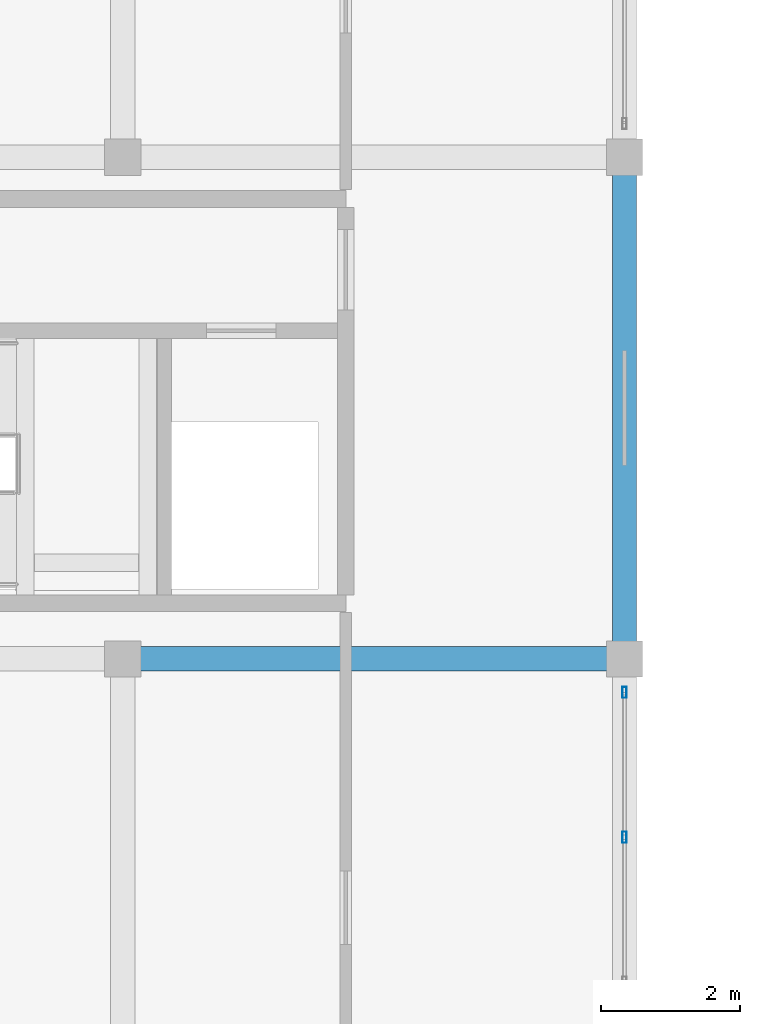
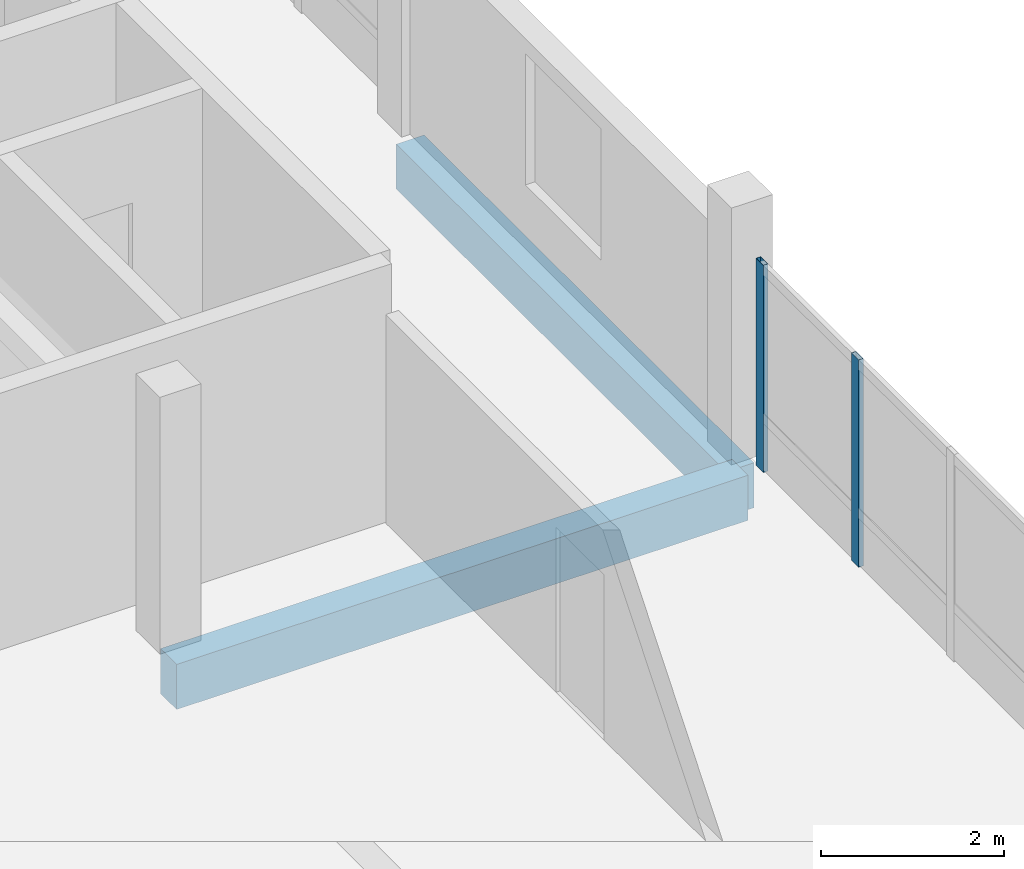
# One storey, part 12 of 26: 2 beams, 2 members, 1 element without a shape of its own.
"""IFC4 building model written with IfcOpenShell, lengths in metres."""

import ifcopenshell
import ifcopenshell.guid

model = None  # the IFC model being written
_history = None  # IfcOwnerHistory: only IFC2X3 demands one
_inside = {}  # id of a spatial element -> (the spatial element, [elements in it])
_under = {}  # id of a project, library or spatial element -> (it, [spatial elements below it])
_declared = {}  # id of a project -> (the project, [libraries it declares])
_typed = {}  # id of a type object -> (the type object, [elements of that type])
_made_of = {}  # id of a material, layer set ... -> (it, [elements and type objects made of it])


def new_model(schema):
    """Start an empty IFC model of exactly this schema.

    Asked for "IFC4X3", IfcOpenShell would pick the latest addendum, in which some entities
    have other attributes; the version numbers below select the first issue.
    IFC2X3 requires an IfcOwnerHistory on every rooted entity: one is made here for all.
    """
    global model, _history
    if schema == "IFC4X3":
        model = ifcopenshell.file(schema_version=(4, 3, 0, 0))
    else:
        model = ifcopenshell.file(schema=schema)
    _inside.clear()
    _under.clear()
    _declared.clear()
    _typed.clear()
    _made_of.clear()
    _history = None
    if model.schema == "IFC2X3":
        org = make("IfcOrganization", Name="unknown")
        user = make(
            "IfcPersonAndOrganization",
            ThePerson=make("IfcPerson", FamilyName="unknown"),
            TheOrganization=org,
        )
        app = make(
            "IfcApplication",
            ApplicationDeveloper=org,
            Version="unknown",
            ApplicationFullName="unknown",
            ApplicationIdentifier="unknown",
        )
        _history = make(
            "IfcOwnerHistory",
            OwningUser=user,
            OwningApplication=app,
            ChangeAction="ADDED",
            CreationDate=0,
        )
    return model


def make(cls, **values):
    """One entity of the class cls with the attributes given. An attribute that is None is left unset."""
    return model.create_entity(
        cls, **{name: value for name, value in values.items() if value is not None}
    )


def rooted(cls, **values):
    """An entity with a GlobalId (a new one), such as an element, a storey or a relation."""
    return make(cls, GlobalId=ifcopenshell.guid.new(), OwnerHistory=_history, **values)


def si_unit(unit_type, name, prefix=None):
    """IfcSIUnit, for example si_unit("LENGTHUNIT", "METRE", prefix="MILLI")."""
    return make("IfcSIUnit", UnitType=unit_type, Prefix=prefix, Name=name)


def assignment(units):
    """IfcUnitAssignment: the units of a project."""
    return None if units is None else make("IfcUnitAssignment", Units=units)


def point(xyz):
    """IfcCartesianPoint."""
    return None if xyz is None else make("IfcCartesianPoint", Coordinates=xyz)


def direction(xyz):
    """IfcDirection."""
    return None if xyz is None else make("IfcDirection", DirectionRatios=xyz)


def frame(location, z_axis=None, x_axis=None):
    """IfcAxis2Placement3D, a coordinate frame: its origin and axes. An axis left out is left unset."""
    return make(
        "IfcAxis2Placement3D",
        Location=point(location),
        Axis=direction(z_axis),
        RefDirection=direction(x_axis),
    )


def frame_2d(location, x_axis=None):
    """IfcAxis2Placement2D, a coordinate frame in the plane: its origin and x axis."""
    return make(
        "IfcAxis2Placement2D", Location=point(location), RefDirection=direction(x_axis)
    )


def origin():
    """The frame at (0, 0, 0) with its axes left unset."""
    return frame((0.0, 0.0, 0.0))


def origin_2d():
    """The frame at (0, 0) in the plane with its x axis left unset."""
    return frame_2d((0.0, 0.0))


def place(relative_to, where):
    """IfcLocalPlacement: puts the frame where relative to a parent placement (None: the world)."""
    return make(
        "IfcLocalPlacement", PlacementRelTo=relative_to, RelativePlacement=where
    )


def context(
    kind, dimensions, precision=None, world=None, true_north=None, identifier=None
):
    """IfcGeometricRepresentationContext, for example the 3D "Model" context."""
    return make(
        "IfcGeometricRepresentationContext",
        ContextIdentifier=identifier,
        ContextType=kind,
        CoordinateSpaceDimension=dimensions,
        Precision=precision,
        WorldCoordinateSystem=world,
        TrueNorth=true_north,
    )


def subcontext(parent, identifier, kind, view, scale=None):
    """IfcGeometricRepresentationSubContext, for example "Body" below "Model"."""
    return make(
        "IfcGeometricRepresentationSubContext",
        ContextIdentifier=identifier,
        ContextType=kind,
        ParentContext=parent,
        TargetScale=scale,
        TargetView=view,
    )


def project(units=None, contexts=None):
    """IfcProject with its units and contexts."""
    return rooted(
        "IfcProject",
        Name="project",
        RepresentationContexts=contexts,
        UnitsInContext=assignment(units),
    )


def spatial(cls, under=None, at=None, **own):
    """A site, building, storey or space (cls), placed at a placement, below another one or the project."""
    s = rooted(cls, ObjectPlacement=at, **own)
    if under is not None:
        _under.setdefault(under.id(), (under, []))[1].append(s)
    return s


def profile(cls, at=None, kind="AREA", **sizes):
    """A parametric profile (cls). Its sizes go by their IFC names, for example OverallWidth=200.0."""
    return make(cls, ProfileType=kind, Position=at, **sizes)


def rectangle(**sizes):
    """IfcRectangleProfileDef."""
    return profile("IfcRectangleProfileDef", **sizes)


def hollow_rectangle(**sizes):
    """IfcRectangleHollowProfileDef."""
    return profile("IfcRectangleHollowProfileDef", **sizes)


def extrude(swept, where, along, depth):
    """IfcExtrudedAreaSolid: the profile swept, set in the frame where, extruded along a direction by depth."""
    return make(
        "IfcExtrudedAreaSolid",
        SweptArea=swept,
        Position=where,
        ExtrudedDirection=direction(along),
        Depth=depth,
    )


def shape(context_of_items, identifier, shape_type, items):
    """IfcShapeRepresentation: the items that make up one representation, for example the "Body"."""
    return make(
        "IfcShapeRepresentation",
        ContextOfItems=context_of_items,
        RepresentationIdentifier=identifier,
        RepresentationType=shape_type,
        Items=items,
    )


def material(Name=None, Category=None):
    """IfcMaterial."""
    return make("IfcMaterial", Name=Name, Category=Category)


def material_profile(
    of_material, cross_section, Name=None, Category=None, Priority=None
):
    """IfcMaterialProfile: a cross section and its material."""
    return make(
        "IfcMaterialProfile",
        Name=Name,
        Material=of_material,
        Profile=cross_section,
        Priority=Priority,
        Category=Category,
    )


def profile_set(profiles, Name=None, composite=None):
    """IfcMaterialProfileSet."""
    return make(
        "IfcMaterialProfileSet",
        Name=Name,
        MaterialProfiles=profiles,
        CompositeProfile=composite,
    )


def made_of(thing, what):
    """Note that an element or type object is made of a material, layer set ...; save() writes the relation."""
    if what is not None:
        _made_of.setdefault(what.id(), (what, []))[1].append(thing)
    return thing


def type_object(cls, material=None, **own):
    """A type object (cls), such as IfcWallType, which elements share."""
    return made_of(rooted(cls, **own), material)


def element(
    cls,
    number,
    at=None,
    inside=None,
    cuts=None,
    type_object=None,
    material=None,
    context=None,
    identifier="Body",
    shape_type=None,
    held_by="IfcProductDefinitionShape",
    body=None,
    shapes=None,
    **own,
):
    """One element of the class cls, such as IfcWall. Its Tag is "e" and its number.

    at: its placement. inside: the storey or other place that contains it. cuts: it is an
    opening in that element (IfcRelVoidsElement). A single representation is given by context,
    identifier, shape_type and body (its items); several are given by shapes. held_by: the class
    of the entity that holds the representations. save() writes the other relations.
    """
    e = rooted(cls, Tag="e%d" % number, ObjectPlacement=at, **own)
    if body is not None:
        shapes = [shape(context, identifier, shape_type, body)]
    if shapes is not None:
        e.Representation = make(held_by, Representations=shapes)
    if inside is not None:
        _inside.setdefault(inside.id(), (inside, []))[1].append(e)
    if cuts is not None:
        rooted(
            "IfcRelVoidsElement", RelatingBuildingElement=cuts, RelatedOpeningElement=e
        )
    if type_object is not None:
        _typed.setdefault(type_object.id(), (type_object, []))[1].append(e)
    return made_of(e, material)


def aggregate(whole, parts):
    """IfcRelAggregates: a whole, such as a stair, and the parts it consists of."""
    return rooted("IfcRelAggregates", RelatingObject=whole, RelatedObjects=parts)


def save(model, path):
    """Write the relations noted so far, then the file.

    IfcRelAggregates (storeys below a building ...), IfcRelContainedInSpatialStructure (elements
    in a storey), IfcRelDefinesByType, IfcRelAssociatesMaterial and IfcRelDeclares: one each for
    every whole, place, type object, material and project.
    """
    for whole, parts in _under.values():
        aggregate(whole, parts)
    for where, things in _inside.values():
        rooted(
            "IfcRelContainedInSpatialStructure",
            RelatedElements=things,
            RelatingStructure=where,
        )
    for kind, things in _typed.values():
        rooted("IfcRelDefinesByType", RelatedObjects=things, RelatingType=kind)
    for what, things in _made_of.values():
        rooted("IfcRelAssociatesMaterial", RelatedObjects=things, RelatingMaterial=what)
    for by, libraries in _declared.values():
        rooted("IfcRelDeclares", RelatingContext=by, RelatedDefinitions=libraries)
    model.write(path)


model = new_model("IFC4")

# Units and contexts
model_context = context("Model", 3, precision=1e-05, world=origin(), true_north=direction((0.0, 1.0)))
body_context = subcontext(model_context, "Body", "Model", "MODEL_VIEW")
ifc_project = project(units=[si_unit("LENGTHUNIT", "METRE"), si_unit("AREAUNIT", "SQUARE_METRE"), si_unit("VOLUMEUNIT", "CUBIC_METRE"), si_unit("PLANEANGLEUNIT", "RADIAN"), si_unit("MASSUNIT", "GRAM", prefix="KILO")], contexts=[model_context])

# Site, building, storey
site_placement = place(None, origin())
site = spatial("IfcSite", under=ifc_project, at=site_placement, CompositionType="ELEMENT")
building_placement = place(site_placement, origin())
building = spatial("IfcBuilding", under=site, at=building_placement, Name="Zornivar Specialist Clinic", CompositionType="ELEMENT")
storey_placement = place(building_placement, frame((0.0, 0.0, 19.699951171875)))
storey = spatial("IfcBuildingStorey", under=building, at=storey_placement, Name="L05", CompositionType="ELEMENT", Elevation=19.699951171875)

# Beams
ifc_material_1 = material(Name="Concrete C30/37", Category="concrete")
ifc_material_profile_1 = material_profile(ifc_material_1, rectangle(XDim=0.35009765625, YDim=0.60009765625, at=origin_2d()), Name="RC 350x600")
ifc_profile_set_1 = profile_set([ifc_material_profile_1], Name="Concrete C30/37")
beam_type = type_object("IfcBeamType", Name="BM-RC-350x600", PredefinedType="BEAM", material=ifc_profile_set_1)
for number, where, z_axis, x_axis, name in (
    (1, (7.199951171875, 36.0, -0.579833984375), (1.0, 0.0, 0.0), (0.0, 1.0, 0.0), "bm:V2:L05:x:360:1"),
    (2, (14.39990234375, 36.0, -0.579833984375), (0.0, 1.0, 0.0), (-1.0, 0.0, 0.0), "bm:V2:L05:y:144:5"),
):
    element("IfcBeam", number, at=place(storey_placement, frame(where, z_axis=z_axis, x_axis=x_axis)), inside=storey, type_object=beam_type, Name=name, PredefinedType="BEAM", context=body_context, shape_type="SweptSolid", body=[
        extrude(rectangle(XDim=0.35009765625, YDim=0.60009765625, at=origin_2d()), origin(), (0.0, 0.0, 1.0), 7.199951171875),
    ])

# Curtain wall, members
ifc_material_2 = material(Name="Aluminium and Low-E Glass Curtain Wall", Category="aluminium")
curtain_wall_type = type_object("IfcCurtainWallType", Name="CW-REVAK-COURT", PredefinedType="NOTDEFINED", material=ifc_material_2)
curtain_wall_placement = place(storey_placement, origin())
curtain_wall = element("IfcCurtainWall", 3, at=curtain_wall_placement, inside=storey, type_object=curtain_wall_type, Name="cw:V2:L05:12", PredefinedType="NOTDEFINED")
ifc_material_3 = material(Name="Aluminium AW-6060", Category="aluminium")
ifc_material_profile_2 = material_profile(ifc_material_3, hollow_rectangle(XDim=0.06005859375, YDim=0.159912109375, WallThickness=0.00390625, at=origin_2d()), Name="ALU 60x160x4")
ifc_profile_set_2 = profile_set([ifc_material_profile_2], Name="Aluminium AW-6060")
member_type = type_object("IfcMemberType", Name="CWM-MUL-160", PredefinedType="MULLION", material=ifc_profile_set_2)
member_1_placement = place(storey_placement, frame((14.39990234375, 33.43994140625, 0.0), z_axis=(0.0, 0.0, 1.0), x_axis=(1.0, 0.0, 0.0)))
member_1 = element("IfcMember", 4, at=member_1_placement, type_object=member_type, Name="cw:V2:L05:12:mul:2", PredefinedType="MULLION", context=body_context, shape_type="SweptSolid", body=[
    extrude(hollow_rectangle(XDim=0.06005859375, YDim=0.159912109375, WallThickness=0.00390625, at=origin_2d()), origin(), (0.0, 0.0, 1.0), 2.760009765625),
])
member_2_placement = place(storey_placement, frame((14.39990234375, 35.52001953125, 0.0), z_axis=(0.0, 0.0, 1.0), x_axis=(1.0, 0.0, 0.0)))
member_2 = element("IfcMember", 5, at=member_2_placement, type_object=member_type, Name="cw:V2:L05:12:mul:3", PredefinedType="MULLION", context=body_context, shape_type="SweptSolid", body=[
    extrude(hollow_rectangle(XDim=0.06005859375, YDim=0.159912109375, WallThickness=0.00390625, at=origin_2d()), origin(), (0.0, 0.0, 1.0), 2.760009765625),
])
aggregate(curtain_wall, [member_1, member_2])

save(model, "model.ifc")
